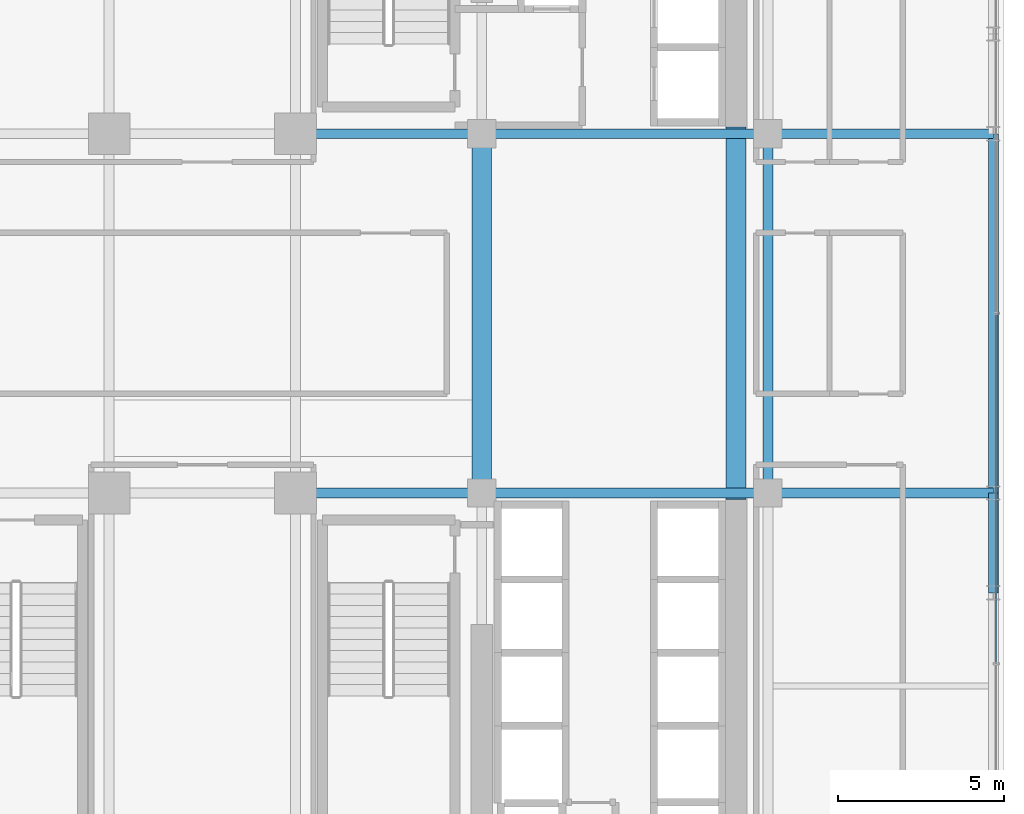
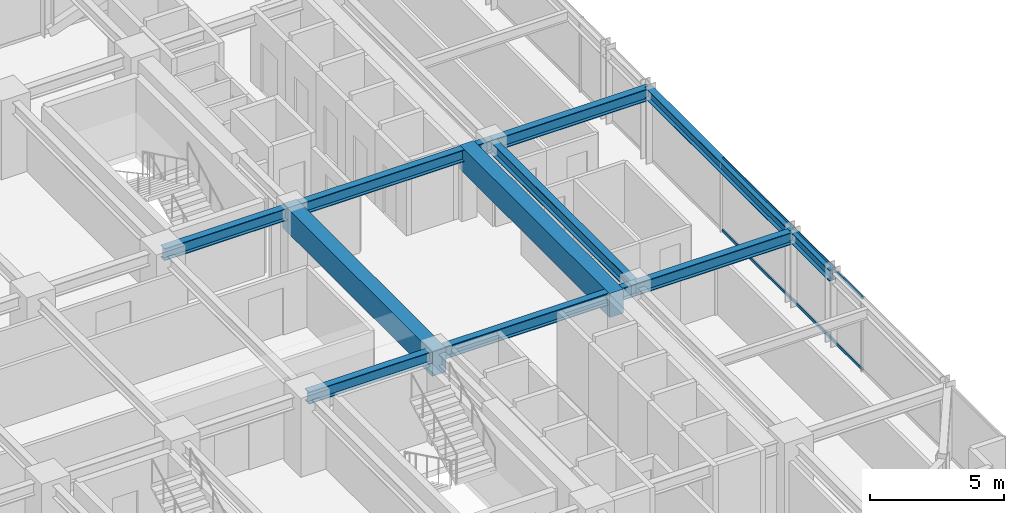
# One storey, part 14 of 35: 11 beams, 2 members, 1 element without a shape of its own.
"""IFC4 building model written with IfcOpenShell, lengths in metres."""

from ifc_helpers import new_model, si_unit, direction, frame, origin, origin_2d, place, context, subcontext, project, spatial, rectangle, hollow_rectangle, i_section, extrude, source, transform, mapped, material, material_profile, profile_set, type_object, element, aggregate, save


model = new_model("IFC4")

# Units and contexts
model_context = context("Model", 3, precision=1e-05, world=origin(), true_north=direction((0.0, 1.0)))
body_context = subcontext(model_context, "Body", "Model", "MODEL_VIEW")
ifc_project = project(units=[si_unit("LENGTHUNIT", "METRE"), si_unit("AREAUNIT", "SQUARE_METRE"), si_unit("VOLUMEUNIT", "CUBIC_METRE"), si_unit("PLANEANGLEUNIT", "RADIAN"), si_unit("MASSUNIT", "GRAM", prefix="KILO")], contexts=[model_context])

# Site, building, storey
site_placement = place(None, origin())
site = spatial("IfcSite", under=ifc_project, at=site_placement, CompositionType="ELEMENT")
building_placement = place(site_placement, origin())
building = spatial("IfcBuilding", under=site, at=building_placement, Name="Nahalor Promenade Grand Hotel", CompositionType="ELEMENT")
storey_placement = place(building_placement, frame((0.0, 0.0, 121.14990234375)))
storey = spatial("IfcBuildingStorey", under=building, at=storey_placement, Name="L30", CompositionType="ELEMENT", Elevation=121.14990234375)

# Beams
ifc_material_1 = material(Name="Concrete B-60 (C50/60)", Category="concrete")
ifc_material_profile_1 = material_profile(ifc_material_1, rectangle(XDim=0.6, YDim=1.1, at=origin_2d()), Name="RC 600x1100")
ifc_profile_set_1 = profile_set([ifc_material_profile_1], Name="Concrete B-60 (C50/60)")
beam_type_1 = type_object("IfcBeamType", Name="Beam-Lintel-RC1100", PredefinedType="LINTEL", material=ifc_profile_set_1)
shared_shape_1 = source(origin(), body_context, "Body", "SweptSolid", [
    extrude(rectangle(XDim=0.6, YDim=1.1, at=origin_2d()), origin(), (0.0, 0.0, 1.0), 11.2001953125),
])
for number, where, z_axis, x_axis, name in (
    (1, (8.39990234375, -5.60009765625, 2.830078125), (0.0, 1.0, 0.0), (-1.0, 0.0, 0.0), "BM-L30-LINT-W"),
    (2, (16.050048828125, -5.60009765625, 2.830078125), (0.0, 1.0, 0.0), (-1.0, 0.0, 0.0), "BM-L30-LINT-E"),
):
    element("IfcBeam", number, at=place(storey_placement, frame(where, z_axis=z_axis, x_axis=x_axis)), inside=storey, type_object=beam_type_1, Name=name, PredefinedType="LINTEL", context=body_context, shape_type="MappedRepresentation", body=[
        mapped(shared_shape_1, transform((0.0, 0.0, 0.0), scale=1.0)),
    ])
ifc_material_2 = material(Name="Steel S355JR", Category="steel")
ifc_material_profile_2 = material_profile(ifc_material_2, i_section(OverallWidth=0.3, OverallDepth=0.5, WebThickness=0.0145, FlangeThickness=0.028, at=origin_2d()), Name="HEB 500")
ifc_profile_set_2 = profile_set([ifc_material_profile_2], Name="Steel S355JR")
beam_type_2 = type_object("IfcBeamType", Name="Beam-Spandrel-HEB500", PredefinedType="SPANDREL", material=ifc_profile_set_2)
shared_shape_2 = source(origin(), body_context, "Body", "SweptSolid", [
    extrude(i_section(OverallWidth=0.3, OverallDepth=0.5, WebThickness=0.0145, FlangeThickness=0.028, at=origin_2d()), origin(), (0.0, 0.0, 1.0), 3.0),
])
beam_1_placement = place(storey_placement, frame((23.780029296875, -8.39990234375, 3.130126953125), z_axis=(0.0, 1.0, 0.0), x_axis=(-1.0, 0.0, 0.0)))
element("IfcBeam", 3, at=beam_1_placement, inside=storey, type_object=beam_type_2, Name="BM-L30-SP-E-1", PredefinedType="SPANDREL", context=body_context, shape_type="MappedRepresentation", body=[
    mapped(shared_shape_2, transform((0.0, 0.0, 0.0), scale=1.0)),
])
shared_shape_3 = source(origin(), body_context, "Body", "SweptSolid", [
    extrude(i_section(OverallWidth=0.3, OverallDepth=0.5, WebThickness=0.0145, FlangeThickness=0.028, at=origin_2d()), origin(), (0.0, 0.0, 1.0), 10.7998046875),
])
beam_2_placement = place(storey_placement, frame((23.780029296875, -5.39990234375, 3.130126953125), z_axis=(0.0, 1.0, 0.0), x_axis=(-1.0, 0.0, 0.0)))
element("IfcBeam", 4, at=beam_2_placement, inside=storey, type_object=beam_type_2, Name="BM-L30-SP-E-2", PredefinedType="SPANDREL", context=body_context, shape_type="MappedRepresentation", body=[
    mapped(shared_shape_3, transform((0.0, 0.0, 0.0), scale=1.0)),
])
ifc_material_profile_3 = material_profile(ifc_material_2, i_section(OverallWidth=0.3, OverallDepth=0.55, WebThickness=0.015, FlangeThickness=0.029, at=origin_2d()), Name="HEB 550")
ifc_profile_set_3 = profile_set([ifc_material_profile_3], Name="Steel S355JR")
beam_type_3 = type_object("IfcBeamType", Name="Beam-Girder-HEB550", PredefinedType="BEAM", material=ifc_profile_set_3)
shared_shape_4 = source(origin(), body_context, "Body", "SweptSolid", [
    extrude(i_section(OverallWidth=0.3, OverallDepth=0.55, WebThickness=0.015, FlangeThickness=0.029, at=origin_2d()), origin(), (0.0, 0.0, 1.0), 6.780029296875),
])
for number, where, z_axis, x_axis, name in (
    (5, (17.0, -5.39990234375, 3.10498046875), (1.0, 0.0, 0.0), (0.0, 1.0, 0.0), "BM-L30-GX-1-6"),
    (6, (17.0, 5.39990234375, 3.10498046875), (1.0, 0.0, 0.0), (0.0, 1.0, 0.0), "BM-L30-GX-2-6"),
):
    element("IfcBeam", number, at=place(storey_placement, frame(where, z_axis=z_axis, x_axis=x_axis)), inside=storey, type_object=beam_type_3, Name=name, PredefinedType="BEAM", context=body_context, shape_type="MappedRepresentation", body=[
        mapped(shared_shape_4, transform((0.0, 0.0, 0.0), scale=1.0)),
    ])
shared_shape_5 = source(origin(), body_context, "Body", "SweptSolid", [
    extrude(i_section(OverallWidth=0.3, OverallDepth=0.55, WebThickness=0.015, FlangeThickness=0.029, at=origin_2d()), origin(), (0.0, 0.0, 1.0), 8.60009765625),
])
for number, where, z_axis, x_axis, name in (
    (7, (8.39990234375, -5.39990234375, 3.10498046875), (1.0, 0.0, 0.0), (0.0, 1.0, 0.0), "BM-L30-GX-1-5"),
    (8, (8.39990234375, 5.39990234375, 3.10498046875), (1.0, 0.0, 0.0), (0.0, 1.0, 0.0), "BM-L30-GX-2-5"),
):
    element("IfcBeam", number, at=place(storey_placement, frame(where, z_axis=z_axis, x_axis=x_axis)), inside=storey, type_object=beam_type_3, Name=name, PredefinedType="BEAM", context=body_context, shape_type="MappedRepresentation", body=[
        mapped(shared_shape_5, transform((0.0, 0.0, 0.0), scale=1.0)),
    ])
shared_shape_6 = source(origin(), body_context, "Body", "SweptSolid", [
    extrude(i_section(OverallWidth=0.3, OverallDepth=0.55, WebThickness=0.015, FlangeThickness=0.029, at=origin_2d()), origin(), (0.0, 0.0, 1.0), 5.599853515625),
])
for number, where, z_axis, x_axis, name in (
    (9, (2.800048828125, -5.39990234375, 3.10498046875), (1.0, 0.0, 0.0), (0.0, 1.0, 0.0), "BM-L30-GX-1-4"),
    (10, (2.800048828125, 5.39990234375, 3.10498046875), (1.0, 0.0, 0.0), (0.0, 1.0, 0.0), "BM-L30-GX-2-4"),
):
    element("IfcBeam", number, at=place(storey_placement, frame(where, z_axis=z_axis, x_axis=x_axis)), inside=storey, type_object=beam_type_3, Name=name, PredefinedType="BEAM", context=body_context, shape_type="MappedRepresentation", body=[
        mapped(shared_shape_6, transform((0.0, 0.0, 0.0), scale=1.0)),
    ])
shared_shape_7 = source(origin(), body_context, "Body", "SweptSolid", [
    extrude(i_section(OverallWidth=0.3, OverallDepth=0.55, WebThickness=0.015, FlangeThickness=0.029, at=origin_2d()), origin(), (0.0, 0.0, 1.0), 10.7998046875),
])
beam_3_placement = place(storey_placement, frame((17.0, -5.39990234375, 3.10498046875), z_axis=(0.0, 1.0, 0.0), x_axis=(-1.0, 0.0, 0.0)))
element("IfcBeam", 11, at=beam_3_placement, inside=storey, type_object=beam_type_3, Name="BM-L30-GY-5-2", PredefinedType="BEAM", context=body_context, shape_type="MappedRepresentation", body=[
    mapped(shared_shape_7, transform((0.0, 0.0, 0.0), scale=1.0)),
])

# Curtain wall, members
ifc_material_3 = material(Name="Anodised Bronze Aluminium EN AW-6063 T6", Category="aluminium")
curtain_wall_type = type_object("IfcCurtainWallType", Name="CW2 Typical Hotel Flush Bronze Unitised Curtain Wall", PredefinedType="USERDEFINED", material=ifc_material_3)
curtain_wall_placement = place(storey_placement, origin())
curtain_wall = element("IfcCurtainWall", 12, at=curtain_wall_placement, inside=storey, type_object=curtain_wall_type, Name="L30 Curtain Wall CW-L30-E-1", ObjectType="UNITISED_CURTAIN_WALL", PredefinedType="USERDEFINED")
ifc_material_profile_4 = material_profile(ifc_material_3, hollow_rectangle(XDim=0.065, YDim=0.13, WallThickness=0.004, at=origin_2d()), Name="CWT 65x130x4")
ifc_profile_set_4 = profile_set([ifc_material_profile_4], Name="Anodised Bronze Aluminium EN AW-6063 T6")
member_type = type_object("IfcMemberType", Name="CWT2 Typical Bronze Transom 65x130", PredefinedType="USERDEFINED", material=ifc_profile_set_4)
shared_shape_8 = source(origin(), body_context, "Body", "SweptSolid", [
    extrude(hollow_rectangle(XDim=0.065, YDim=0.13, WallThickness=0.004, at=origin_2d()), origin(), (0.0, 0.0, 1.0), 10.465087890625),
])
member_1_placement = place(storey_placement, frame((23.860107421875, -10.49755859375, 0.065185546875), z_axis=(0.0, 1.0, 0.0), x_axis=(-1.0, 0.0, 0.0)))
member_1 = element("IfcMember", 13, at=member_1_placement, type_object=member_type, Name="CW-L30-E-1 Transom 1-0", ObjectType="TRANSOM", PredefinedType="USERDEFINED", context=body_context, shape_type="MappedRepresentation", body=[
    mapped(shared_shape_8, transform((0.0, 0.0, 0.0), scale=1.0)),
])
member_2_placement = place(storey_placement, frame((23.860107421875, -10.49755859375, 3.315185546875), z_axis=(0.0, 1.0, 0.0), x_axis=(-1.0, 0.0, 0.0)))
member_2 = element("IfcMember", 14, at=member_2_placement, type_object=member_type, Name="CW-L30-E-1 Transom 1-1", ObjectType="TRANSOM", PredefinedType="USERDEFINED", context=body_context, shape_type="MappedRepresentation", body=[
    mapped(shared_shape_8, transform((0.0, 0.0, 0.0), scale=1.0)),
])
aggregate(curtain_wall, [member_1, member_2])

save(model, "model.ifc")
